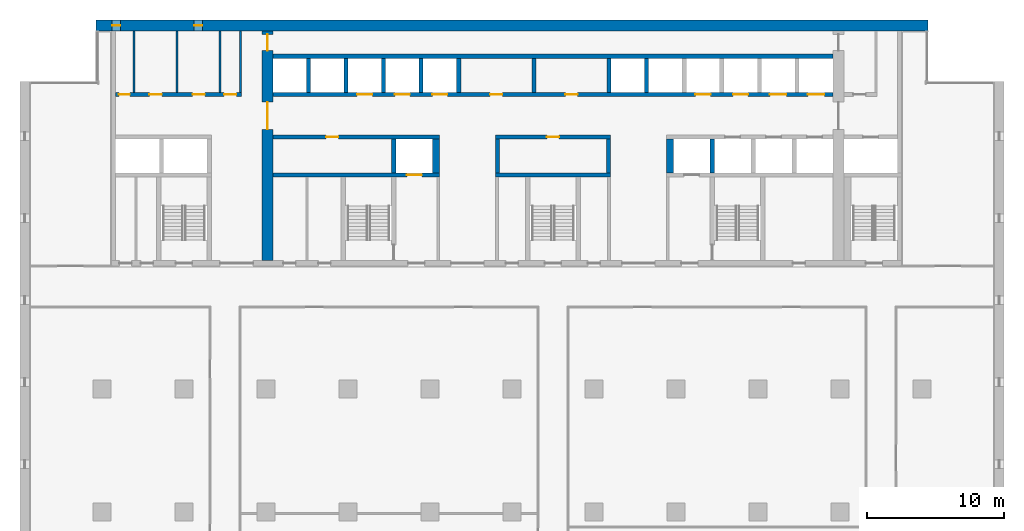
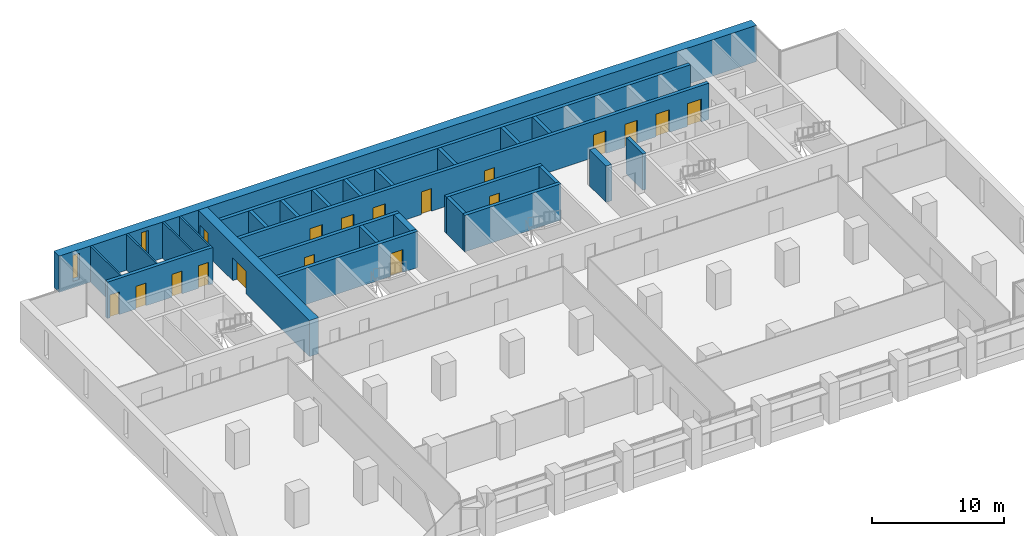
# One storey, part 10 of 15: 27 walls, 18 doors, 2 windows, 20 openings.
"""IFC4 building model written with IfcOpenShell, lengths in metres."""

import ifcopenshell
import ifcopenshell.guid

model = None  # the IFC model being written
_history = None  # IfcOwnerHistory: only IFC2X3 demands one
_inside = {}  # id of a spatial element -> (the spatial element, [elements in it])
_under = {}  # id of a project, library or spatial element -> (it, [spatial elements below it])
_declared = {}  # id of a project -> (the project, [libraries it declares])
_typed = {}  # id of a type object -> (the type object, [elements of that type])
_made_of = {}  # id of a material, layer set ... -> (it, [elements and type objects made of it])


def new_model(schema):
    """Start an empty IFC model of exactly this schema.

    Asked for "IFC4X3", IfcOpenShell would pick the latest addendum, in which some entities
    have other attributes; the version numbers below select the first issue.
    IFC2X3 requires an IfcOwnerHistory on every rooted entity: one is made here for all.
    """
    global model, _history
    if schema == "IFC4X3":
        model = ifcopenshell.file(schema_version=(4, 3, 0, 0))
    else:
        model = ifcopenshell.file(schema=schema)
    _inside.clear()
    _under.clear()
    _declared.clear()
    _typed.clear()
    _made_of.clear()
    _history = None
    if model.schema == "IFC2X3":
        org = make("IfcOrganization", Name="unknown")
        user = make(
            "IfcPersonAndOrganization",
            ThePerson=make("IfcPerson", FamilyName="unknown"),
            TheOrganization=org,
        )
        app = make(
            "IfcApplication",
            ApplicationDeveloper=org,
            Version="unknown",
            ApplicationFullName="unknown",
            ApplicationIdentifier="unknown",
        )
        _history = make(
            "IfcOwnerHistory",
            OwningUser=user,
            OwningApplication=app,
            ChangeAction="ADDED",
            CreationDate=0,
        )
    return model


def make(cls, **values):
    """One entity of the class cls with the attributes given. An attribute that is None is left unset."""
    return model.create_entity(
        cls, **{name: value for name, value in values.items() if value is not None}
    )


def rooted(cls, **values):
    """An entity with a GlobalId (a new one), such as an element, a storey or a relation."""
    return make(cls, GlobalId=ifcopenshell.guid.new(), OwnerHistory=_history, **values)


def si_unit(unit_type, name, prefix=None):
    """IfcSIUnit, for example si_unit("LENGTHUNIT", "METRE", prefix="MILLI")."""
    return make("IfcSIUnit", UnitType=unit_type, Prefix=prefix, Name=name)


def assignment(units):
    """IfcUnitAssignment: the units of a project."""
    return None if units is None else make("IfcUnitAssignment", Units=units)


def point(xyz):
    """IfcCartesianPoint."""
    return None if xyz is None else make("IfcCartesianPoint", Coordinates=xyz)


def direction(xyz):
    """IfcDirection."""
    return None if xyz is None else make("IfcDirection", DirectionRatios=xyz)


def frame(location, z_axis=None, x_axis=None):
    """IfcAxis2Placement3D, a coordinate frame: its origin and axes. An axis left out is left unset."""
    return make(
        "IfcAxis2Placement3D",
        Location=point(location),
        Axis=direction(z_axis),
        RefDirection=direction(x_axis),
    )


def frame_2d(location, x_axis=None):
    """IfcAxis2Placement2D, a coordinate frame in the plane: its origin and x axis."""
    return make(
        "IfcAxis2Placement2D", Location=point(location), RefDirection=direction(x_axis)
    )


def origin():
    """The frame at (0, 0, 0) with its axes left unset."""
    return frame((0.0, 0.0, 0.0))


def place(relative_to, where):
    """IfcLocalPlacement: puts the frame where relative to a parent placement (None: the world)."""
    return make(
        "IfcLocalPlacement", PlacementRelTo=relative_to, RelativePlacement=where
    )


def context(
    kind, dimensions, precision=None, world=None, true_north=None, identifier=None
):
    """IfcGeometricRepresentationContext, for example the 3D "Model" context."""
    return make(
        "IfcGeometricRepresentationContext",
        ContextIdentifier=identifier,
        ContextType=kind,
        CoordinateSpaceDimension=dimensions,
        Precision=precision,
        WorldCoordinateSystem=world,
        TrueNorth=true_north,
    )


def subcontext(parent, identifier, kind, view, scale=None):
    """IfcGeometricRepresentationSubContext, for example "Body" below "Model"."""
    return make(
        "IfcGeometricRepresentationSubContext",
        ContextIdentifier=identifier,
        ContextType=kind,
        ParentContext=parent,
        TargetScale=scale,
        TargetView=view,
    )


def project(units=None, contexts=None):
    """IfcProject with its units and contexts."""
    return rooted(
        "IfcProject",
        Name="project",
        RepresentationContexts=contexts,
        UnitsInContext=assignment(units),
    )


def spatial(cls, under=None, at=None, **own):
    """A site, building, storey or space (cls), placed at a placement, below another one or the project."""
    s = rooted(cls, ObjectPlacement=at, **own)
    if under is not None:
        _under.setdefault(under.id(), (under, []))[1].append(s)
    return s


def profile(cls, at=None, kind="AREA", **sizes):
    """A parametric profile (cls). Its sizes go by their IFC names, for example OverallWidth=200.0."""
    return make(cls, ProfileType=kind, Position=at, **sizes)


def rectangle(**sizes):
    """IfcRectangleProfileDef."""
    return profile("IfcRectangleProfileDef", **sizes)


def extrude(swept, where, along, depth):
    """IfcExtrudedAreaSolid: the profile swept, set in the frame where, extruded along a direction by depth."""
    return make(
        "IfcExtrudedAreaSolid",
        SweptArea=swept,
        Position=where,
        ExtrudedDirection=direction(along),
        Depth=depth,
    )


def shape(context_of_items, identifier, shape_type, items):
    """IfcShapeRepresentation: the items that make up one representation, for example the "Body"."""
    return make(
        "IfcShapeRepresentation",
        ContextOfItems=context_of_items,
        RepresentationIdentifier=identifier,
        RepresentationType=shape_type,
        Items=items,
    )


def material(Name=None, Category=None):
    """IfcMaterial."""
    return make("IfcMaterial", Name=Name, Category=Category)


def layer(
    of_material, thickness, ventilated=None, Name=None, Category=None, Priority=None
):
    """IfcMaterialLayer: one layer of a wall or slab, of a material (None: an air gap)."""
    return make(
        "IfcMaterialLayer",
        Material=of_material,
        LayerThickness=thickness,
        IsVentilated=ventilated,
        Name=Name,
        Category=Category,
        Priority=Priority,
    )


def layer_set(layers, Name=None):
    """IfcMaterialLayerSet."""
    return make("IfcMaterialLayerSet", MaterialLayers=layers, LayerSetName=Name)


def made_of(thing, what):
    """Note that an element or type object is made of a material, layer set ...; save() writes the relation."""
    if what is not None:
        _made_of.setdefault(what.id(), (what, []))[1].append(thing)
    return thing


def type_object(cls, material=None, **own):
    """A type object (cls), such as IfcWallType, which elements share."""
    return made_of(rooted(cls, **own), material)


def element(
    cls,
    number,
    at=None,
    inside=None,
    cuts=None,
    type_object=None,
    material=None,
    context=None,
    identifier="Body",
    shape_type=None,
    held_by="IfcProductDefinitionShape",
    body=None,
    shapes=None,
    **own,
):
    """One element of the class cls, such as IfcWall. Its Tag is "e" and its number.

    at: its placement. inside: the storey or other place that contains it. cuts: it is an
    opening in that element (IfcRelVoidsElement). A single representation is given by context,
    identifier, shape_type and body (its items); several are given by shapes. held_by: the class
    of the entity that holds the representations. save() writes the other relations.
    """
    e = rooted(cls, Tag="e%d" % number, ObjectPlacement=at, **own)
    if body is not None:
        shapes = [shape(context, identifier, shape_type, body)]
    if shapes is not None:
        e.Representation = make(held_by, Representations=shapes)
    if inside is not None:
        _inside.setdefault(inside.id(), (inside, []))[1].append(e)
    if cuts is not None:
        rooted(
            "IfcRelVoidsElement", RelatingBuildingElement=cuts, RelatedOpeningElement=e
        )
    if type_object is not None:
        _typed.setdefault(type_object.id(), (type_object, []))[1].append(e)
    return made_of(e, material)


def fill(opening, filler):
    """IfcRelFillsElement: the door or window that sits in an opening."""
    return rooted(
        "IfcRelFillsElement",
        RelatingOpeningElement=opening,
        RelatedBuildingElement=filler,
    )


def aggregate(whole, parts):
    """IfcRelAggregates: a whole, such as a stair, and the parts it consists of."""
    return rooted("IfcRelAggregates", RelatingObject=whole, RelatedObjects=parts)


def save(model, path):
    """Write the relations noted so far, then the file.

    IfcRelAggregates (storeys below a building ...), IfcRelContainedInSpatialStructure (elements
    in a storey), IfcRelDefinesByType, IfcRelAssociatesMaterial and IfcRelDeclares: one each for
    every whole, place, type object, material and project.
    """
    for whole, parts in _under.values():
        aggregate(whole, parts)
    for where, things in _inside.values():
        rooted(
            "IfcRelContainedInSpatialStructure",
            RelatedElements=things,
            RelatingStructure=where,
        )
    for kind, things in _typed.values():
        rooted("IfcRelDefinesByType", RelatedObjects=things, RelatingType=kind)
    for what, things in _made_of.values():
        rooted("IfcRelAssociatesMaterial", RelatedObjects=things, RelatingMaterial=what)
    for by, libraries in _declared.values():
        rooted("IfcRelDeclares", RelatingContext=by, RelatedDefinitions=libraries)
    model.write(path)


model = new_model("IFC4")

# Units and contexts
model_context = context("Model", 3, precision=1e-05, world=origin(), true_north=direction((0.0, 1.0)))
body_context = subcontext(model_context, "Body", "Model", "MODEL_VIEW")
ifc_project = project(units=[si_unit("LENGTHUNIT", "METRE"), si_unit("AREAUNIT", "SQUARE_METRE"), si_unit("VOLUMEUNIT", "CUBIC_METRE"), si_unit("PLANEANGLEUNIT", "RADIAN"), si_unit("MASSUNIT", "GRAM", prefix="KILO")], contexts=[model_context])

# Site, building, storey
site_placement = place(None, origin())
site = spatial("IfcSite", under=ifc_project, at=site_placement, CompositionType="ELEMENT")
building_placement = place(site_placement, origin())
building = spatial("IfcBuilding", under=site, at=building_placement, Name="Calvaro Tower", CompositionType="ELEMENT")
storey_placement = place(building_placement, frame((0.0, 0.0, 113.75)))
storey = spatial("IfcBuildingStorey", under=building, at=storey_placement, Name="L28", CompositionType="ELEMENT", Elevation=113.75)

# Walls
ifc_material_1 = material(Name="Blockwork partition", Category="masonry")
ifc_layer_1 = layer(ifc_material_1, 0.14990234375)
ifc_layer_set_1 = layer_set([ifc_layer_1], Name="Blockwork partition")
wall_type_1 = type_object("IfcWallType", Name="Core partition 150 EI 60", PredefinedType="PARTITIONING", material=ifc_layer_set_1)
for number, where, z_axis, x_axis, name in (
    (1, (8.35009765625, 40.699951171875, 0.0), (0.0, 0.0, 1.0), (0.0, 1.0, 0.0), "Core partition"),
    (2, (11.5, 40.699951171875, 0.0), (0.0, 0.0, 1.0), (0.0, 1.0, 0.0), "Core partition"),
    (3, (14.64990234375, 40.699951171875, 0.0), (0.0, 0.0, 1.0), (0.0, 1.0, 0.0), "Core partition"),
):
    element("IfcWall", number, at=place(storey_placement, frame(where, z_axis=z_axis, x_axis=x_axis)), inside=storey, type_object=wall_type_1, Name=name, PredefinedType="PARTITIONING", context=body_context, shape_type="SweptSolid", body=[
        extrude(rectangle(XDim=4.5, YDim=0.14990234375, at=frame_2d((2.25, 0.0))), origin(), (0.0, 0.0, 1.0), 3.35009765625),
    ])
ifc_material_2 = material(Name="Blockwork partition", Category="masonry")
ifc_layer_2 = layer(ifc_material_2, 0.14990234375)
ifc_layer_set_2 = layer_set([ifc_layer_2], Name="Blockwork partition")
wall_type_2 = type_object("IfcWallType", Name="Core partition 150 REI 120", PredefinedType="PARTITIONING", material=ifc_layer_set_2)
wall_1_placement = place(storey_placement, frame((16.125, 40.699951171875, 0.0), z_axis=(0.0, 0.0, 1.0), x_axis=(0.0, 1.0, 0.0)))
element("IfcWall", 4, at=wall_1_placement, inside=storey, type_object=wall_type_2, Name="Core partition", PredefinedType="PARTITIONING", context=body_context, shape_type="SweptSolid", body=[
    extrude(rectangle(XDim=4.5, YDim=0.14990234375, at=frame_2d((2.25, 0.0))), origin(), (0.0, 0.0, 1.0), 3.35009765625),
])
ifc_material_3 = material(Name="Blockwork partition", Category="masonry")
ifc_layer_3 = layer(ifc_material_3, 0.300048828125)
ifc_layer_set_3 = layer_set([ifc_layer_3], Name="Blockwork partition")
wall_type_3 = type_object("IfcWallType", Name="Core partition 300 EI 60", PredefinedType="PARTITIONING", material=ifc_layer_set_3)
wall_2_placement = place(storey_placement, frame((37.60009765625, 40.699951171875, 0.0), z_axis=(0.0, 0.0, 1.0), x_axis=(0.0, 1.0, 0.0)))
element("IfcWall", 5, at=wall_2_placement, inside=storey, type_object=wall_type_3, Name="Core partition", PredefinedType="PARTITIONING", context=body_context, shape_type="SweptSolid", body=[
    extrude(rectangle(XDim=2.5, YDim=0.300048828125, at=frame_2d((1.25, 0.0))), origin(), (0.0, 0.0, 1.0), 3.35009765625),
])

# Wall, openings, doors
ifc_material_4 = material(Name="Blockwork partition", Category="masonry")
ifc_layer_4 = layer(ifc_material_4, 0.300048828125)
ifc_layer_set_4 = layer_set([ifc_layer_4], Name="Blockwork partition")
wall_type_4 = type_object("IfcWallType", Name="Core partition 300 REI 120", PredefinedType="PARTITIONING", material=ifc_layer_set_4)
wall_3_placement = place(storey_placement, frame((7.0, 40.550048828125, 0.0), z_axis=(0.0, 0.0, 1.0), x_axis=(1.0, 0.0, 0.0)))
wall_3 = element("IfcWall", 6, at=wall_3_placement, inside=storey, type_object=wall_type_4, Name="Core partition", PredefinedType="PARTITIONING", context=body_context, shape_type="SweptSolid", body=[
    extrude(rectangle(XDim=9.199951171875, YDim=0.300048828125, at=frame_2d((4.60009765625, 0.0))), origin(), (0.0, 0.0, 1.0), 3.35009765625),
])
opening_1_placement = place(wall_3_placement, frame((0.237548828125, 0.0, 0.0)))
opening_1 = element("IfcOpeningElement", 7, at=opening_1_placement, cuts=wall_3, Name="Opening RD8", PredefinedType="OPENING", context=body_context, shape_type="SweptSolid", body=[
    extrude(rectangle(XDim=0.800048828125, YDim=2.10009765625, at=frame_2d((0.39990234375, 1.050048828125))), frame((0.0, 0.159912109375, 0.0), z_axis=(0.0, -1.0, 0.0), x_axis=(1.0, 0.0, 0.0)), (0.0, 0.0, 1.0), 0.320068359375),
])
opening_2_placement = place(wall_3_placement, frame((2.47509765625, 0.0, 0.0)))
opening_2 = element("IfcOpeningElement", 8, at=opening_2_placement, cuts=wall_3, Name="Opening RD9", PredefinedType="OPENING", context=body_context, shape_type="SweptSolid", body=[
    extrude(rectangle(XDim=0.89990234375, YDim=2.10009765625, at=frame_2d((0.449951171875, 1.050048828125))), frame((0.0, 0.159912109375, 0.0), z_axis=(0.0, -1.0, 0.0), x_axis=(1.0, 0.0, 0.0)), (0.0, 0.0, 1.0), 0.320068359375),
])
opening_3_placement = place(wall_3_placement, frame((5.625, 0.0, 0.0)))
opening_3 = element("IfcOpeningElement", 9, at=opening_3_placement, cuts=wall_3, Name="Opening RD9", PredefinedType="OPENING", context=body_context, shape_type="SweptSolid", body=[
    extrude(rectangle(XDim=0.89990234375, YDim=2.10009765625, at=frame_2d((0.449951171875, 1.050048828125))), frame((0.0, 0.159912109375, 0.0), z_axis=(0.0, -1.0, 0.0), x_axis=(1.0, 0.0, 0.0)), (0.0, 0.0, 1.0), 0.320068359375),
])
opening_4_placement = place(wall_3_placement, frame((7.9375, 0.0, 0.0)))
opening_4 = element("IfcOpeningElement", 10, at=opening_4_placement, cuts=wall_3, Name="Opening RD9C", PredefinedType="OPENING", context=body_context, shape_type="SweptSolid", body=[
    extrude(rectangle(XDim=0.89990234375, YDim=2.10009765625, at=frame_2d((0.449951171875, 1.050048828125))), frame((0.0, 0.159912109375, 0.0), z_axis=(0.0, -1.0, 0.0), x_axis=(1.0, 0.0, 0.0)), (0.0, 0.0, 1.0), 0.320068359375),
])
ifc_material_5 = material(Name="Steel door set", Category="steel")
door_type_1 = type_object("IfcDoorType", Name="Room door 800", OperationType="SINGLE_SWING_LEFT", PredefinedType="DOOR", material=ifc_material_5)
door_1_placement = place(opening_1_placement, origin())
door_1 = element("IfcDoor", 11, at=door_1_placement, inside=storey, type_object=door_type_1, Name="Room door", OperationType="SINGLE_SWING_LEFT", OverallHeight=2.10009765625, OverallWidth=0.800048828125, PredefinedType="DOOR", context=body_context, shape_type="SweptSolid", body=[
    extrude(rectangle(XDim=0.800048828125, YDim=2.10009765625, at=frame_2d((0.39990234375, 1.050048828125))), frame((0.0, 0.02490234375, 0.0), z_axis=(0.0, -1.0, 0.0), x_axis=(1.0, 0.0, 0.0)), (0.0, 0.0, 1.0), 0.050048828125),
])
fill(opening_1, door_1)
ifc_material_6 = material(Name="Steel door set", Category="steel")
door_type_2 = type_object("IfcDoorType", Name="Room door 900", OperationType="SINGLE_SWING_LEFT", PredefinedType="DOOR", material=ifc_material_6)
door_2_placement = place(opening_2_placement, origin())
door_2 = element("IfcDoor", 12, at=door_2_placement, inside=storey, type_object=door_type_2, Name="Room door", OperationType="SINGLE_SWING_LEFT", OverallHeight=2.10009765625, OverallWidth=0.89990234375, PredefinedType="DOOR", context=body_context, shape_type="SweptSolid", body=[
    extrude(rectangle(XDim=0.89990234375, YDim=2.10009765625, at=frame_2d((0.449951171875, 1.050048828125))), frame((0.0, 0.02490234375, 0.0), z_axis=(0.0, -1.0, 0.0), x_axis=(1.0, 0.0, 0.0)), (0.0, 0.0, 1.0), 0.050048828125),
])
fill(opening_2, door_2)
door_3_placement = place(opening_3_placement, origin())
door_3 = element("IfcDoor", 13, at=door_3_placement, inside=storey, type_object=door_type_2, Name="Room door", OperationType="SINGLE_SWING_LEFT", OverallHeight=2.10009765625, OverallWidth=0.89990234375, PredefinedType="DOOR", context=body_context, shape_type="SweptSolid", body=[
    extrude(rectangle(XDim=0.89990234375, YDim=2.10009765625, at=frame_2d((0.449951171875, 1.050048828125))), frame((0.0, 0.02490234375, 0.0), z_axis=(0.0, -1.0, 0.0), x_axis=(1.0, 0.0, 0.0)), (0.0, 0.0, 1.0), 0.050048828125),
])
fill(opening_3, door_3)
ifc_material_7 = material(Name="Steel door set", Category="steel")
door_type_3 = type_object("IfcDoorType", Name="Room door 900 FD30", OperationType="SINGLE_SWING_LEFT", PredefinedType="DOOR", material=ifc_material_7)
door_4_placement = place(opening_4_placement, origin())
door_4 = element("IfcDoor", 14, at=door_4_placement, inside=storey, type_object=door_type_3, Name="Room door", OperationType="SINGLE_SWING_LEFT", OverallHeight=2.10009765625, OverallWidth=0.89990234375, PredefinedType="DOOR", context=body_context, shape_type="SweptSolid", body=[
    extrude(rectangle(XDim=0.89990234375, YDim=2.10009765625, at=frame_2d((0.449951171875, 1.050048828125))), frame((0.0, 0.02490234375, 0.0), z_axis=(0.0, -1.0, 0.0), x_axis=(1.0, 0.0, 0.0)), (0.0, 0.0, 1.0), 0.050048828125),
])
fill(opening_4, door_4)

# Wall, opening, door
ifc_material_8 = material(Name="Concrete C60/75", Category="concrete")
ifc_layer_5 = layer(ifc_material_8, 0.300048828125)
ifc_layer_set_5 = layer_set([ifc_layer_5], Name="Concrete C60/75")
wall_type_5 = type_object("IfcWallType", Name="Core wall C60/75 300", PredefinedType="SHEAR", material=ifc_layer_set_5)
wall_4_placement = place(storey_placement, frame((18.5, 34.64990234375, 0.0), z_axis=(0.0, 0.0, 1.0), x_axis=(1.0, 0.0, 0.0)))
wall_4 = element("IfcWall", 15, at=wall_4_placement, inside=storey, type_object=wall_type_5, Name="Core wall, lift shaft", PredefinedType="SHEAR", context=body_context, shape_type="SweptSolid", body=[
    extrude(rectangle(XDim=12.199951171875, YDim=0.300048828125, at=frame_2d((6.10009765625, 0.0))), origin(), (0.0, 0.0, 1.0), 3.35009765625),
])
opening_5_placement = place(wall_4_placement, frame((9.800048828125, 0.0, 0.0)))
opening_5 = element("IfcOpeningElement", 16, at=opening_5_placement, cuts=wall_4, Name="Opening FF1", PredefinedType="OPENING", context=body_context, shape_type="SweptSolid", body=[
    extrude(rectangle(XDim=1.10009765625, YDim=2.10009765625, at=frame_2d((0.550048828125, 1.050048828125))), frame((0.0, 0.159912109375, 0.0), z_axis=(0.0, -1.0, 0.0), x_axis=(1.0, 0.0, 0.0)), (0.0, 0.0, 1.0), 0.320068359375),
])
ifc_material_9 = material(Name="Stainless steel", Category="steel")
door_type_4 = type_object("IfcDoorType", Name="Landing door 1100 E 60", OperationType="SLIDING_TO_LEFT", PredefinedType="DOOR", material=ifc_material_9)
door_5_placement = place(opening_5_placement, origin())
door_5 = element("IfcDoor", 17, at=door_5_placement, inside=storey, type_object=door_type_4, Name="Landing door FF1", OperationType="SLIDING_TO_LEFT", OverallHeight=2.10009765625, OverallWidth=1.10009765625, PredefinedType="DOOR", context=body_context, shape_type="SweptSolid", body=[
    extrude(rectangle(XDim=1.10009765625, YDim=2.10009765625, at=frame_2d((0.550048828125, 1.050048828125))), frame((0.0, 0.02490234375, 0.0), z_axis=(0.0, -1.0, 0.0), x_axis=(1.0, 0.0, 0.0)), (0.0, 0.0, 1.0), 0.050048828125),
])
fill(opening_5, door_5)

# Wall
wall_5_placement = place(storey_placement, frame((34.800048828125, 34.64990234375, 0.0), z_axis=(0.0, 0.0, 1.0), x_axis=(1.0, 0.0, 0.0)))
element("IfcWall", 18, at=wall_5_placement, inside=storey, type_object=wall_type_5, Name="Core wall, lift shaft", PredefinedType="SHEAR", context=body_context, shape_type="SweptSolid", body=[
    extrude(rectangle(XDim=8.39990234375, YDim=0.300048828125, at=frame_2d((4.199951171875, 0.0))), origin(), (0.0, 0.0, 1.0), 3.35009765625),
])

# Wall, opening, door
wall_6_placement = place(storey_placement, frame((30.699951171875, 37.449951171875, 0.0), z_axis=(0.0, 0.0, 1.0), x_axis=(-1.0, 0.0, 0.0)))
wall_6 = element("IfcWall", 19, at=wall_6_placement, inside=storey, type_object=wall_type_5, Name="Core wall, bay", PredefinedType="SHEAR", context=body_context, shape_type="SweptSolid", body=[
    extrude(rectangle(XDim=12.199951171875, YDim=0.300048828125, at=frame_2d((6.10009765625, 0.0))), origin(), (0.0, 0.0, 1.0), 3.35009765625),
])
opening_6_placement = place(wall_6_placement, frame((7.39990234375, 0.0, 0.0)))
opening_6 = element("IfcOpeningElement", 20, at=opening_6_placement, cuts=wall_6, Name="Opening RD9E", PredefinedType="OPENING", context=body_context, shape_type="SweptSolid", body=[
    extrude(rectangle(XDim=0.89990234375, YDim=2.10009765625, at=frame_2d((0.449951171875, 1.050048828125))), frame((0.0, 0.159912109375, 0.0), z_axis=(0.0, -1.0, 0.0), x_axis=(1.0, 0.0, 0.0)), (0.0, 0.0, 1.0), 0.320068359375),
])
ifc_material_10 = material(Name="Steel door set", Category="steel")
door_type_5 = type_object("IfcDoorType", Name="Room door 900 FD60", OperationType="SINGLE_SWING_LEFT", PredefinedType="DOOR", material=ifc_material_10)
door_6_placement = place(opening_6_placement, origin())
door_6 = element("IfcDoor", 21, at=door_6_placement, inside=storey, type_object=door_type_5, Name="Room door", OperationType="SINGLE_SWING_LEFT", OverallHeight=2.10009765625, OverallWidth=0.89990234375, PredefinedType="DOOR", context=body_context, shape_type="SweptSolid", body=[
    extrude(rectangle(XDim=0.89990234375, YDim=2.10009765625, at=frame_2d((0.449951171875, 1.050048828125))), frame((0.0, 0.02490234375, 0.0), z_axis=(0.0, -1.0, 0.0), x_axis=(1.0, 0.0, 0.0)), (0.0, 0.0, 1.0), 0.050048828125),
])
fill(opening_6, door_6)

wall_7_placement = place(storey_placement, frame((43.199951171875, 37.449951171875, 0.0), z_axis=(0.0, 0.0, 1.0), x_axis=(-1.0, 0.0, 0.0)))
wall_7 = element("IfcWall", 22, at=wall_7_placement, inside=storey, type_object=wall_type_5, Name="Core wall, bay", PredefinedType="SHEAR", context=body_context, shape_type="SweptSolid", body=[
    extrude(rectangle(XDim=8.39990234375, YDim=0.300048828125, at=frame_2d((4.199951171875, 0.0))), origin(), (0.0, 0.0, 1.0), 3.35009765625),
])
opening_7_placement = place(wall_7_placement, frame((3.75, 0.0, 0.0)))
opening_7 = element("IfcOpeningElement", 23, at=opening_7_placement, cuts=wall_7, Name="Opening RD9C", PredefinedType="OPENING", context=body_context, shape_type="SweptSolid", body=[
    extrude(rectangle(XDim=0.89990234375, YDim=2.10009765625, at=frame_2d((0.449951171875, 1.050048828125))), frame((0.0, 0.159912109375, 0.0), z_axis=(0.0, -1.0, 0.0), x_axis=(1.0, 0.0, 0.0)), (0.0, 0.0, 1.0), 0.320068359375),
])
door_7_placement = place(opening_7_placement, origin())
door_7 = element("IfcDoor", 24, at=door_7_placement, inside=storey, type_object=door_type_3, Name="Room door", OperationType="SINGLE_SWING_RIGHT", OverallHeight=2.10009765625, OverallWidth=0.89990234375, PredefinedType="DOOR", context=body_context, shape_type="SweptSolid", body=[
    extrude(rectangle(XDim=0.89990234375, YDim=2.10009765625, at=frame_2d((0.449951171875, 1.050048828125))), frame((0.0, 0.02490234375, 0.0), z_axis=(0.0, -1.0, 0.0), x_axis=(1.0, 0.0, 0.0)), (0.0, 0.0, 1.0), 0.050048828125),
])
fill(opening_7, door_7)

# Walls
for number, where, z_axis, x_axis, name in (
    (25, (27.35009765625, 34.800048828125, 0.0), (0.0, 0.0, 1.0), (0.0, 1.0, 0.0), "Core wall, lift shaft"),
    (26, (34.949951171875, 34.800048828125, 0.0), (0.0, 0.0, 1.0), (0.0, 1.0, 0.0), "Core wall, lift shaft"),
    (27, (43.050048828125, 34.800048828125, 0.0), (0.0, 0.0, 1.0), (0.0, 1.0, 0.0), "Core wall, lift shaft"),
    (28, (50.64990234375, 34.800048828125, 0.0), (0.0, 0.0, 1.0), (0.0, 1.0, 0.0), "Core wall, lift shaft"),
):
    element("IfcWall", number, at=place(storey_placement, frame(where, z_axis=z_axis, x_axis=x_axis)), inside=storey, type_object=wall_type_5, Name=name, PredefinedType="SHEAR", context=body_context, shape_type="SweptSolid", body=[
        extrude(rectangle(XDim=2.5, YDim=0.300048828125, at=frame_2d((1.25, 0.0))), origin(), (0.0, 0.0, 1.0), 3.35009765625),
    ])

# Wall, openings, doors
wall_8_placement = place(storey_placement, frame((18.5, 40.550048828125, 0.0), z_axis=(0.0, 0.0, 1.0), x_axis=(1.0, 0.0, 0.0)))
wall_8 = element("IfcWall", 29, at=wall_8_placement, inside=storey, type_object=wall_type_5, Name="Core wall, bay", PredefinedType="SHEAR", context=body_context, shape_type="SweptSolid", body=[
    extrude(rectangle(XDim=41.0, YDim=0.300048828125, at=frame_2d((20.5, 0.0))), origin(), (0.0, 0.0, 1.0), 3.35009765625),
])
opening_8_placement = place(wall_8_placement, frame((15.89990234375, 0.0, 0.0)))
opening_8 = element("IfcOpeningElement", 30, at=opening_8_placement, cuts=wall_8, Name="Opening RD9E", PredefinedType="OPENING", context=body_context, shape_type="SweptSolid", body=[
    extrude(rectangle(XDim=0.89990234375, YDim=2.10009765625, at=frame_2d((0.449951171875, 1.050048828125))), frame((0.0, 0.159912109375, 0.0), z_axis=(0.0, -1.0, 0.0), x_axis=(1.0, 0.0, 0.0)), (0.0, 0.0, 1.0), 0.320068359375),
])
opening_9_placement = place(wall_8_placement, frame((21.39990234375, 0.0, 0.0)))
opening_9 = element("IfcOpeningElement", 31, at=opening_9_placement, cuts=wall_8, Name="Opening RD9C", PredefinedType="OPENING", context=body_context, shape_type="SweptSolid", body=[
    extrude(rectangle(XDim=0.89990234375, YDim=2.10009765625, at=frame_2d((0.449951171875, 1.050048828125))), frame((0.0, 0.159912109375, 0.0), z_axis=(0.0, -1.0, 0.0), x_axis=(1.0, 0.0, 0.0)), (0.0, 0.0, 1.0), 0.320068359375),
])
opening_10_placement = place(wall_8_placement, frame((6.175048828125, 0.0, 0.0)))
opening_10 = element("IfcOpeningElement", 32, at=opening_10_placement, cuts=wall_8, Name="Opening MR4", PredefinedType="OPENING", context=body_context, shape_type="SweptSolid", body=[
    extrude(rectangle(XDim=1.10009765625, YDim=2.10009765625, at=frame_2d((0.550048828125, 1.050048828125))), frame((0.0, 0.159912109375, 0.0), z_axis=(0.0, -1.0, 0.0), x_axis=(1.0, 0.0, 0.0)), (0.0, 0.0, 1.0), 0.320068359375),
])
opening_11_placement = place(wall_8_placement, frame((8.925048828125, 0.0, 0.0)))
opening_11 = element("IfcOpeningElement", 33, at=opening_11_placement, cuts=wall_8, Name="Opening MR5", PredefinedType="OPENING", context=body_context, shape_type="SweptSolid", body=[
    extrude(rectangle(XDim=1.10009765625, YDim=2.10009765625, at=frame_2d((0.550048828125, 1.050048828125))), frame((0.0, 0.159912109375, 0.0), z_axis=(0.0, -1.0, 0.0), x_axis=(1.0, 0.0, 0.0)), (0.0, 0.0, 1.0), 0.320068359375),
])
opening_12_placement = place(wall_8_placement, frame((11.675048828125, 0.0, 0.0)))
opening_12 = element("IfcOpeningElement", 34, at=opening_12_placement, cuts=wall_8, Name="Opening MR6", PredefinedType="OPENING", context=body_context, shape_type="SweptSolid", body=[
    extrude(rectangle(XDim=1.10009765625, YDim=2.10009765625, at=frame_2d((0.550048828125, 1.050048828125))), frame((0.0, 0.159912109375, 0.0), z_axis=(0.0, -1.0, 0.0), x_axis=(1.0, 0.0, 0.0)), (0.0, 0.0, 1.0), 0.320068359375),
])
opening_13_placement = place(wall_8_placement, frame((30.925048828125, 0.0, 0.0)))
opening_13 = element("IfcOpeningElement", 35, at=opening_13_placement, cuts=wall_8, Name="Opening MR7", PredefinedType="OPENING", context=body_context, shape_type="SweptSolid", body=[
    extrude(rectangle(XDim=1.10009765625, YDim=2.10009765625, at=frame_2d((0.550048828125, 1.050048828125))), frame((0.0, 0.159912109375, 0.0), z_axis=(0.0, -1.0, 0.0), x_axis=(1.0, 0.0, 0.0)), (0.0, 0.0, 1.0), 0.320068359375),
])
opening_14_placement = place(wall_8_placement, frame((33.675048828125, 0.0, 0.0)))
opening_14 = element("IfcOpeningElement", 36, at=opening_14_placement, cuts=wall_8, Name="Opening MR8", PredefinedType="OPENING", context=body_context, shape_type="SweptSolid", body=[
    extrude(rectangle(XDim=1.10009765625, YDim=2.10009765625, at=frame_2d((0.550048828125, 1.050048828125))), frame((0.0, 0.159912109375, 0.0), z_axis=(0.0, -1.0, 0.0), x_axis=(1.0, 0.0, 0.0)), (0.0, 0.0, 1.0), 0.320068359375),
])
opening_15_placement = place(wall_8_placement, frame((36.375, 0.0, 0.0)))
opening_15 = element("IfcOpeningElement", 37, at=opening_15_placement, cuts=wall_8, Name="Opening SV1", PredefinedType="OPENING", context=body_context, shape_type="SweptSolid", body=[
    extrude(rectangle(XDim=1.199951171875, YDim=2.10009765625, at=frame_2d((0.60009765625, 1.050048828125))), frame((0.0, 0.159912109375, 0.0), z_axis=(0.0, -1.0, 0.0), x_axis=(1.0, 0.0, 0.0)), (0.0, 0.0, 1.0), 0.320068359375),
])
opening_16_placement = place(wall_8_placement, frame((39.14990234375, 0.0, 0.0)))
opening_16 = element("IfcOpeningElement", 38, at=opening_16_placement, cuts=wall_8, Name="Opening SV2", PredefinedType="OPENING", context=body_context, shape_type="SweptSolid", body=[
    extrude(rectangle(XDim=1.199951171875, YDim=2.10009765625, at=frame_2d((0.60009765625, 1.050048828125))), frame((0.0, 0.159912109375, 0.0), z_axis=(0.0, -1.0, 0.0), x_axis=(1.0, 0.0, 0.0)), (0.0, 0.0, 1.0), 0.320068359375),
])
door_8_placement = place(opening_10_placement, origin())
door_8 = element("IfcDoor", 39, at=door_8_placement, inside=storey, type_object=door_type_4, Name="Landing door MR4", OperationType="SLIDING_TO_LEFT", OverallHeight=2.10009765625, OverallWidth=1.10009765625, PredefinedType="DOOR", context=body_context, shape_type="SweptSolid", body=[
    extrude(rectangle(XDim=1.10009765625, YDim=2.10009765625, at=frame_2d((0.550048828125, 1.050048828125))), frame((0.0, 0.02490234375, 0.0), z_axis=(0.0, -1.0, 0.0), x_axis=(1.0, 0.0, 0.0)), (0.0, 0.0, 1.0), 0.050048828125),
])
fill(opening_10, door_8)
door_9_placement = place(opening_11_placement, origin())
door_9 = element("IfcDoor", 40, at=door_9_placement, inside=storey, type_object=door_type_4, Name="Landing door MR5", OperationType="SLIDING_TO_LEFT", OverallHeight=2.10009765625, OverallWidth=1.10009765625, PredefinedType="DOOR", context=body_context, shape_type="SweptSolid", body=[
    extrude(rectangle(XDim=1.10009765625, YDim=2.10009765625, at=frame_2d((0.550048828125, 1.050048828125))), frame((0.0, 0.02490234375, 0.0), z_axis=(0.0, -1.0, 0.0), x_axis=(1.0, 0.0, 0.0)), (0.0, 0.0, 1.0), 0.050048828125),
])
fill(opening_11, door_9)
door_10_placement = place(opening_12_placement, origin())
door_10 = element("IfcDoor", 41, at=door_10_placement, inside=storey, type_object=door_type_4, Name="Landing door MR6", OperationType="SLIDING_TO_LEFT", OverallHeight=2.10009765625, OverallWidth=1.10009765625, PredefinedType="DOOR", context=body_context, shape_type="SweptSolid", body=[
    extrude(rectangle(XDim=1.10009765625, YDim=2.10009765625, at=frame_2d((0.550048828125, 1.050048828125))), frame((0.0, 0.02490234375, 0.0), z_axis=(0.0, -1.0, 0.0), x_axis=(1.0, 0.0, 0.0)), (0.0, 0.0, 1.0), 0.050048828125),
])
fill(opening_12, door_10)
door_11_placement = place(opening_13_placement, origin())
door_11 = element("IfcDoor", 42, at=door_11_placement, inside=storey, type_object=door_type_4, Name="Landing door MR7", OperationType="SLIDING_TO_LEFT", OverallHeight=2.10009765625, OverallWidth=1.10009765625, PredefinedType="DOOR", context=body_context, shape_type="SweptSolid", body=[
    extrude(rectangle(XDim=1.10009765625, YDim=2.10009765625, at=frame_2d((0.550048828125, 1.050048828125))), frame((0.0, 0.02490234375, 0.0), z_axis=(0.0, -1.0, 0.0), x_axis=(1.0, 0.0, 0.0)), (0.0, 0.0, 1.0), 0.050048828125),
])
fill(opening_13, door_11)
door_12_placement = place(opening_14_placement, origin())
door_12 = element("IfcDoor", 43, at=door_12_placement, inside=storey, type_object=door_type_4, Name="Landing door MR8", OperationType="SLIDING_TO_LEFT", OverallHeight=2.10009765625, OverallWidth=1.10009765625, PredefinedType="DOOR", context=body_context, shape_type="SweptSolid", body=[
    extrude(rectangle(XDim=1.10009765625, YDim=2.10009765625, at=frame_2d((0.550048828125, 1.050048828125))), frame((0.0, 0.02490234375, 0.0), z_axis=(0.0, -1.0, 0.0), x_axis=(1.0, 0.0, 0.0)), (0.0, 0.0, 1.0), 0.050048828125),
])
fill(opening_14, door_12)
ifc_material_11 = material(Name="Stainless steel", Category="steel")
door_type_6 = type_object("IfcDoorType", Name="Landing door 1200 E 60", OperationType="SLIDING_TO_LEFT", PredefinedType="DOOR", material=ifc_material_11)
door_13_placement = place(opening_15_placement, origin())
door_13 = element("IfcDoor", 44, at=door_13_placement, inside=storey, type_object=door_type_6, Name="Landing door SV1", OperationType="SLIDING_TO_LEFT", OverallHeight=2.10009765625, OverallWidth=1.199951171875, PredefinedType="DOOR", context=body_context, shape_type="SweptSolid", body=[
    extrude(rectangle(XDim=1.199951171875, YDim=2.10009765625, at=frame_2d((0.60009765625, 1.050048828125))), frame((0.0, 0.02490234375, 0.0), z_axis=(0.0, -1.0, 0.0), x_axis=(1.0, 0.0, 0.0)), (0.0, 0.0, 1.0), 0.050048828125),
])
fill(opening_15, door_13)
door_14_placement = place(opening_16_placement, origin())
door_14 = element("IfcDoor", 45, at=door_14_placement, inside=storey, type_object=door_type_6, Name="Landing door SV2", OperationType="SLIDING_TO_LEFT", OverallHeight=2.10009765625, OverallWidth=1.199951171875, PredefinedType="DOOR", context=body_context, shape_type="SweptSolid", body=[
    extrude(rectangle(XDim=1.199951171875, YDim=2.10009765625, at=frame_2d((0.60009765625, 1.050048828125))), frame((0.0, 0.02490234375, 0.0), z_axis=(0.0, -1.0, 0.0), x_axis=(1.0, 0.0, 0.0)), (0.0, 0.0, 1.0), 0.050048828125),
])
fill(opening_16, door_14)
door_15_placement = place(opening_9_placement, origin())
door_15 = element("IfcDoor", 46, at=door_15_placement, inside=storey, type_object=door_type_3, Name="Room door", OperationType="SINGLE_SWING_LEFT", OverallHeight=2.10009765625, OverallWidth=0.89990234375, PredefinedType="DOOR", context=body_context, shape_type="SweptSolid", body=[
    extrude(rectangle(XDim=0.89990234375, YDim=2.10009765625, at=frame_2d((0.449951171875, 1.050048828125))), frame((0.0, 0.02490234375, 0.0), z_axis=(0.0, -1.0, 0.0), x_axis=(1.0, 0.0, 0.0)), (0.0, 0.0, 1.0), 0.050048828125),
])
fill(opening_9, door_15)
door_16_placement = place(opening_8_placement, origin())
door_16 = element("IfcDoor", 47, at=door_16_placement, inside=storey, type_object=door_type_5, Name="Room door", OperationType="SINGLE_SWING_LEFT", OverallHeight=2.10009765625, OverallWidth=0.89990234375, PredefinedType="DOOR", context=body_context, shape_type="SweptSolid", body=[
    extrude(rectangle(XDim=0.89990234375, YDim=2.10009765625, at=frame_2d((0.449951171875, 1.050048828125))), frame((0.0, 0.02490234375, 0.0), z_axis=(0.0, -1.0, 0.0), x_axis=(1.0, 0.0, 0.0)), (0.0, 0.0, 1.0), 0.050048828125),
])
fill(opening_8, door_16)

# Walls
wall_9_placement = place(storey_placement, frame((18.5, 43.35009765625, 0.0), z_axis=(0.0, 0.0, 1.0), x_axis=(1.0, 0.0, 0.0)))
element("IfcWall", 48, at=wall_9_placement, inside=storey, type_object=wall_type_5, Name="Core wall, lift shaft", PredefinedType="SHEAR", context=body_context, shape_type="SweptSolid", body=[
    extrude(rectangle(XDim=41.0, YDim=0.300048828125, at=frame_2d((20.5, 0.0))), origin(), (0.0, 0.0, 1.0), 3.35009765625),
])
for number, where, z_axis, x_axis, name in (
    (49, (21.10009765625, 40.699951171875, 0.0), (0.0, 0.0, 1.0), (0.0, 1.0, 0.0), "Core wall, lift shaft"),
    (50, (23.85009765625, 40.699951171875, 0.0), (0.0, 0.0, 1.0), (0.0, 1.0, 0.0), "Core wall, lift shaft"),
    (51, (26.60009765625, 40.699951171875, 0.0), (0.0, 0.0, 1.0), (0.0, 1.0, 0.0), "Core wall, lift shaft"),
    (52, (29.35009765625, 40.699951171875, 0.0), (0.0, 0.0, 1.0), (0.0, 1.0, 0.0), "Core wall, lift shaft"),
    (53, (32.10009765625, 40.699951171875, 0.0), (0.0, 0.0, 1.0), (0.0, 1.0, 0.0), "Core wall, lift shaft"),
    (54, (43.10009765625, 40.699951171875, 0.0), (0.0, 0.0, 1.0), (0.0, 1.0, 0.0), "Core wall, lift shaft"),
    (55, (45.85009765625, 40.699951171875, 0.0), (0.0, 0.0, 1.0), (0.0, 1.0, 0.0), "Core wall, lift shaft"),
):
    element("IfcWall", number, at=place(storey_placement, frame(where, z_axis=z_axis, x_axis=x_axis)), inside=storey, type_object=wall_type_5, Name=name, PredefinedType="SHEAR", context=body_context, shape_type="SweptSolid", body=[
        extrude(rectangle(XDim=2.5, YDim=0.300048828125, at=frame_2d((1.25, 0.0))), origin(), (0.0, 0.0, 1.0), 3.35009765625),
    ])
ifc_material_12 = material(Name="Concrete C60/75", Category="concrete")
ifc_layer_6 = layer(ifc_material_12, 0.5)
ifc_layer_set_6 = layer_set([ifc_layer_6], Name="Concrete C60/75")
wall_type_6 = type_object("IfcWallType", Name="Core wall C60/75 500", PredefinedType="SHEAR", material=ifc_layer_set_6)
for number, where, z_axis, x_axis, name in (
    (56, (30.449951171875, 34.800048828125, 0.0), (0.0, 0.0, 1.0), (0.0, 1.0, 0.0), "Core wall, lift shaft"),
    (57, (47.550048828125, 34.800048828125, 0.0), (0.0, 0.0, 1.0), (0.0, 1.0, 0.0), "Core wall, lift shaft"),
):
    element("IfcWall", number, at=place(storey_placement, frame(where, z_axis=z_axis, x_axis=x_axis)), inside=storey, type_object=wall_type_6, Name=name, PredefinedType="SHEAR", context=body_context, shape_type="SweptSolid", body=[
        extrude(rectangle(XDim=2.5, YDim=0.5, at=frame_2d((1.25, 0.0))), origin(), (0.0, 0.0, 1.0), 3.35009765625),
    ])

# Wall, openings, doors
ifc_material_13 = material(Name="Concrete C60/75", Category="concrete")
ifc_layer_7 = layer(ifc_material_13, 0.800048828125)
ifc_layer_set_7 = layer_set([ifc_layer_7], Name="Concrete C60/75")
wall_type_7 = type_object("IfcWallType", Name="Core wall C60/75 800", PredefinedType="SHEAR", material=ifc_layer_set_7)
wall_10_placement = place(storey_placement, frame((18.10009765625, 28.39990234375, 0.0), z_axis=(0.0, 0.0, 1.0), x_axis=(0.0, 1.0, 0.0)))
wall_10 = element("IfcWall", 58, at=wall_10_placement, inside=storey, type_object=wall_type_7, Name="Core wall, cross shear wall", PredefinedType="SHEAR", context=body_context, shape_type="SweptSolid", body=[
    extrude(rectangle(XDim=16.800048828125, YDim=0.800048828125, at=frame_2d((8.39990234375, 0.0))), origin(), (0.0, 0.0, 1.0), 3.35009765625),
])
opening_17_placement = place(wall_10_placement, frame((9.60009765625, 0.0, 0.0)))
opening_17 = element("IfcOpeningElement", 59, at=opening_17_placement, cuts=wall_10, Name="Opening DD20D", PredefinedType="OPENING", context=body_context, shape_type="SweptSolid", body=[
    extrude(rectangle(XDim=2.0, YDim=2.10009765625, at=frame_2d((1.0, 1.050048828125))), frame((0.0, 0.409912109375, 0.0), z_axis=(0.0, -1.0, 0.0), x_axis=(1.0, 0.0, 0.0)), (0.0, 0.0, 1.0), 0.820068359375),
])
opening_18_placement = place(wall_10_placement, frame((15.35009765625, 0.0, 0.0)))
opening_18 = element("IfcOpeningElement", 60, at=opening_18_placement, cuts=wall_10, Name="Opening FD12C", PredefinedType="OPENING", context=body_context, shape_type="SweptSolid", body=[
    extrude(rectangle(XDim=1.199951171875, YDim=2.10009765625, at=frame_2d((0.60009765625, 1.050048828125))), frame((0.0, 0.409912109375, 0.0), z_axis=(0.0, -1.0, 0.0), x_axis=(1.0, 0.0, 0.0)), (0.0, 0.0, 1.0), 0.820068359375),
])
ifc_material_14 = material(Name="Steel door set", Category="steel")
door_type_7 = type_object("IfcDoorType", Name="Fire door 1200 FD30", OperationType="SINGLE_SWING_LEFT", PredefinedType="DOOR", material=ifc_material_14)
door_17_placement = place(opening_18_placement, origin())
door_17 = element("IfcDoor", 61, at=door_17_placement, inside=storey, type_object=door_type_7, Name="Fire door", OperationType="SINGLE_SWING_LEFT", OverallHeight=2.10009765625, OverallWidth=1.199951171875, PredefinedType="DOOR", context=body_context, shape_type="SweptSolid", body=[
    extrude(rectangle(XDim=1.199951171875, YDim=2.10009765625, at=frame_2d((0.60009765625, 1.050048828125))), frame((0.0, 0.02490234375, 0.0), z_axis=(0.0, -1.0, 0.0), x_axis=(1.0, 0.0, 0.0)), (0.0, 0.0, 1.0), 0.050048828125),
])
fill(opening_18, door_17)
ifc_material_15 = material(Name="Steel door set", Category="steel")
door_type_8 = type_object("IfcDoorType", Name="Lobby double door 2000 FD30S", OperationType="DOUBLE_DOOR_SINGLE_SWING", PredefinedType="DOOR", material=ifc_material_15)
door_18_placement = place(opening_17_placement, origin())
door_18 = element("IfcDoor", 62, at=door_18_placement, inside=storey, type_object=door_type_8, Name="Lobby double door", OperationType="DOUBLE_DOOR_SINGLE_SWING", OverallHeight=2.10009765625, OverallWidth=2.0, PredefinedType="DOOR", context=body_context, shape_type="SweptSolid", body=[
    extrude(rectangle(XDim=2.0, YDim=2.10009765625, at=frame_2d((1.0, 1.050048828125))), frame((0.0, 0.02490234375, 0.0), z_axis=(0.0, -1.0, 0.0), x_axis=(1.0, 0.0, 0.0)), (0.0, 0.0, 1.0), 0.050048828125),
])
fill(opening_17, door_18)

# Wall, openings, windows
ifc_material_16 = material(Name="Concrete C60/75", Category="concrete")
ifc_layer_8 = layer(ifc_material_16, 0.800048828125)
ifc_layer_set_8 = layer_set([ifc_layer_8], Name="Concrete C60/75")
wall_type_8 = type_object("IfcWallType", Name="Rear core wall 800 C60/75", PredefinedType="SHEAR", material=ifc_layer_set_8)
wall_11_placement = place(storey_placement, frame((5.550048828125, 45.60009765625, 0.0), z_axis=(0.0, 0.0, 1.0), x_axis=(1.0, 0.0, 0.0)))
wall_11 = element("IfcWall", 63, at=wall_11_placement, inside=storey, type_object=wall_type_8, Name="North core wall", PredefinedType="SHEAR", context=body_context, shape_type="SweptSolid", body=[
    extrude(rectangle(XDim=60.89990234375, YDim=0.800048828125, at=frame_2d((30.449951171875, 0.0))), origin(), (0.0, 0.0, 1.0), 3.35009765625),
])
opening_19_placement = place(wall_11_placement, frame((1.199951171875, 0.0, 0.60009765625)))
opening_19 = element("IfcOpeningElement", 64, at=opening_19_placement, cuts=wall_11, Name="Opening WN01", PredefinedType="OPENING", context=body_context, shape_type="SweptSolid", body=[
    extrude(rectangle(XDim=0.60009765625, YDim=2.39990234375, at=frame_2d((0.300048828125, 1.199951171875))), frame((0.0, 0.409912109375, 0.0), z_axis=(0.0, -1.0, 0.0), x_axis=(1.0, 0.0, 0.0)), (0.0, 0.0, 1.0), 0.820068359375),
])
opening_20_placement = place(wall_11_placement, frame((7.199951171875, 0.0, 0.60009765625)))
opening_20 = element("IfcOpeningElement", 65, at=opening_20_placement, cuts=wall_11, Name="Opening WN02", PredefinedType="OPENING", context=body_context, shape_type="SweptSolid", body=[
    extrude(rectangle(XDim=0.60009765625, YDim=2.39990234375, at=frame_2d((0.300048828125, 1.199951171875))), frame((0.0, 0.409912109375, 0.0), z_axis=(0.0, -1.0, 0.0), x_axis=(1.0, 0.0, 0.0)), (0.0, 0.0, 1.0), 0.820068359375),
])
ifc_material_17 = material(Name="Glass", Category="glass")
window_type = type_object("IfcWindowType", Name="Slit window 600 x 2400", PartitioningType="SINGLE_PANEL", PredefinedType="WINDOW", material=ifc_material_17)
window_1_placement = place(opening_19_placement, origin())
window_1 = element("IfcWindow", 66, at=window_1_placement, inside=storey, type_object=window_type, Name="Window WN01", OverallHeight=2.39990234375, OverallWidth=0.60009765625, PartitioningType="SINGLE_PANEL", PredefinedType="WINDOW", context=body_context, shape_type="SweptSolid", body=[
    extrude(rectangle(XDim=0.60009765625, YDim=2.39990234375, at=frame_2d((0.300048828125, 1.199951171875))), frame((0.0, 0.030029296875, 0.0), z_axis=(0.0, -1.0, 0.0), x_axis=(1.0, 0.0, 0.0)), (0.0, 0.0, 1.0), 0.06005859375),
])
fill(opening_19, window_1)
window_2_placement = place(opening_20_placement, origin())
window_2 = element("IfcWindow", 67, at=window_2_placement, inside=storey, type_object=window_type, Name="Window WN02", OverallHeight=2.39990234375, OverallWidth=0.60009765625, PartitioningType="SINGLE_PANEL", PredefinedType="WINDOW", context=body_context, shape_type="SweptSolid", body=[
    extrude(rectangle(XDim=0.60009765625, YDim=2.39990234375, at=frame_2d((0.300048828125, 1.199951171875))), frame((0.0, 0.030029296875, 0.0), z_axis=(0.0, -1.0, 0.0), x_axis=(1.0, 0.0, 0.0)), (0.0, 0.0, 1.0), 0.06005859375),
])
fill(opening_20, window_2)

save(model, "model.ifc")
